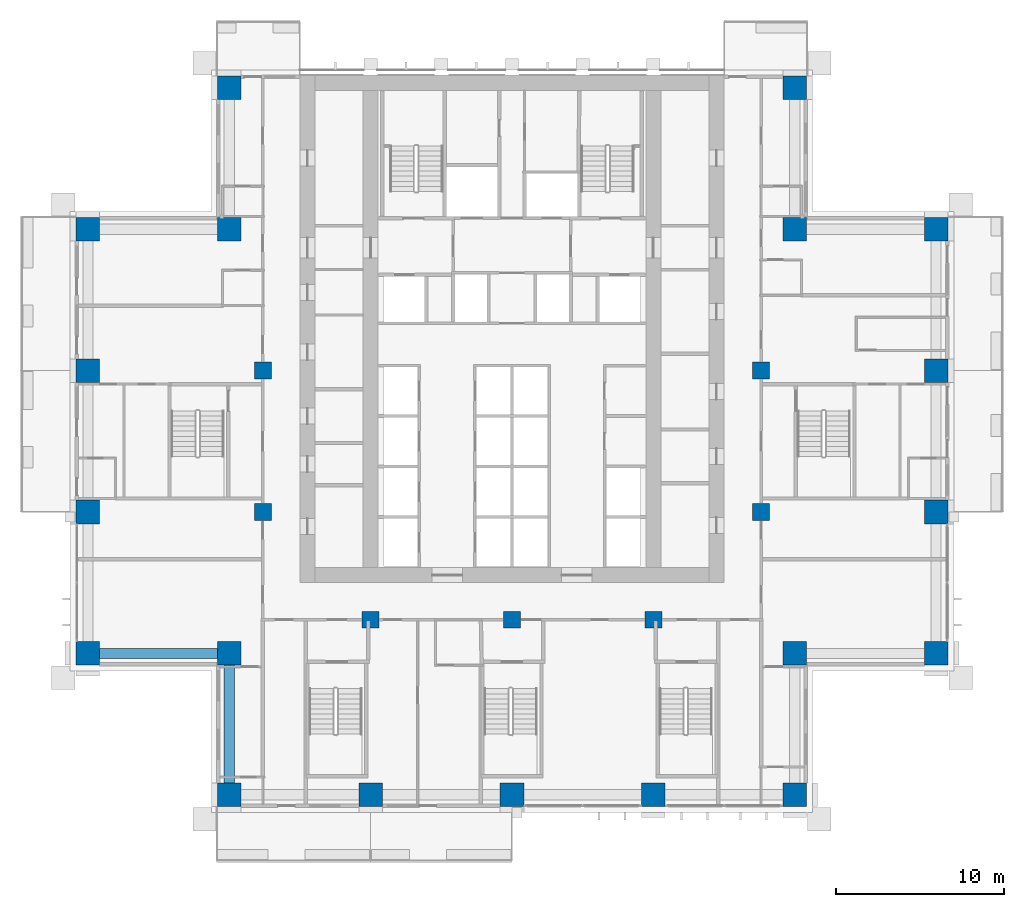
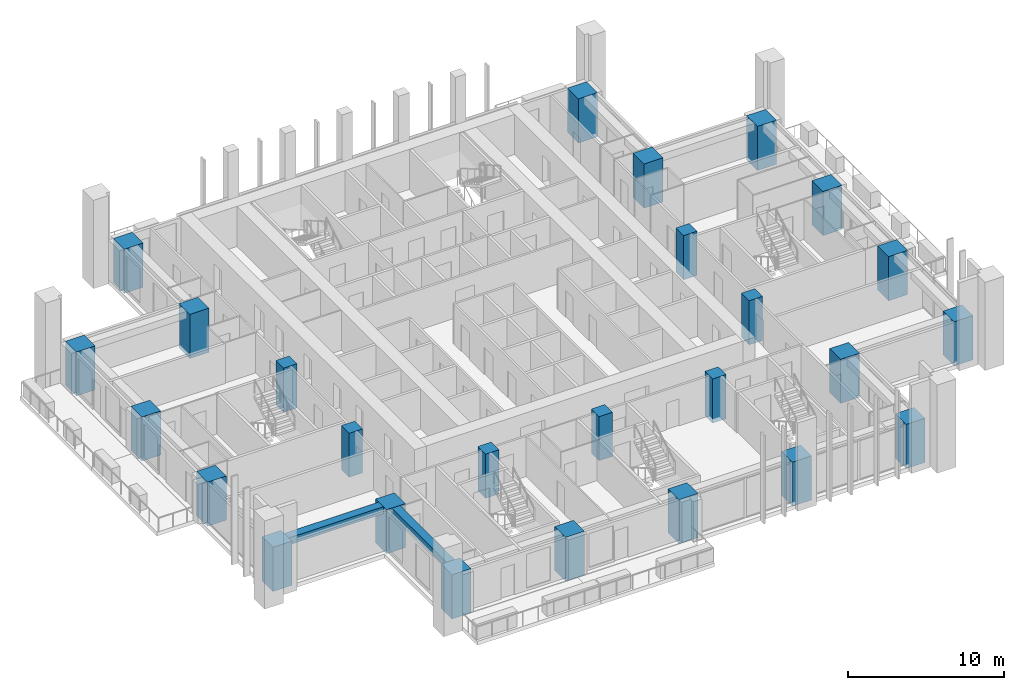
# One storey, part 1 of 18: 26 columns, 2 beams.
"""IFC4 building model written with IfcOpenShell, lengths in metres."""

from ifc_helpers import new_model, si_unit, direction, frame, origin, origin_2d, place, context, subcontext, project, spatial, rectangle, extrude, material, material_profile, profile_set, type_object, element, save


model = new_model("IFC4")

# Units and contexts
model_context = context("Model", 3, precision=1e-05, world=origin(), true_north=direction((0.0, 1.0)))
body_context = subcontext(model_context, "Body", "Model", "MODEL_VIEW")
ifc_project = project(units=[si_unit("LENGTHUNIT", "METRE"), si_unit("AREAUNIT", "SQUARE_METRE"), si_unit("VOLUMEUNIT", "CUBIC_METRE"), si_unit("PLANEANGLEUNIT", "RADIAN"), si_unit("MASSUNIT", "GRAM", prefix="KILO")], contexts=[model_context])

# Site, building, storey
site_placement = place(None, origin())
site = spatial("IfcSite", under=ifc_project, at=site_placement, CompositionType="ELEMENT")
building_placement = place(site_placement, origin())
building = spatial("IfcBuilding", under=site, at=building_placement, Name="Vermilion Ogive Tower", CompositionType="ELEMENT")
storey_placement = place(building_placement, frame((0.0, 0.0, 55.199951171875)))
storey = spatial("IfcBuildingStorey", under=building, at=storey_placement, Name="L12", CompositionType="ELEMENT", Elevation=55.199951171875)

# Columns
ifc_material_1 = material(Name="Concrete B80", Category="concrete")
ifc_material_profile_1 = material_profile(ifc_material_1, rectangle(XDim=1.39990234375, YDim=1.39990234375, at=origin_2d()), Name="1400 x 1400")
ifc_profile_set_1 = profile_set([ifc_material_profile_1], Name="Concrete B80")
column_type_1 = type_object("IfcColumnType", Name="Perimeter column 1400 x 1400 B80", PredefinedType="COLUMN", material=ifc_profile_set_1)
for number, where, z_axis, x_axis, name in (
    (1, (-16.800048828125, -21.0, -0.320068359375), (0.0, 0.0, 1.0), (1.0, 0.0, 0.0), "COL-L12-P-0168-210"),
    (2, (-8.39990234375, -21.0, -0.320068359375), (0.0, 0.0, 1.0), (1.0, 0.0, 0.0), "COL-L12-P-0084-210"),
    (3, (0.0, -21.0, -0.320068359375), (0.0, 0.0, 1.0), (1.0, 0.0, 0.0), "COL-L12-P+0000-210"),
    (4, (8.39990234375, -21.0, -0.320068359375), (0.0, 0.0, 1.0), (1.0, 0.0, 0.0), "COL-L12-P+0084-210"),
    (5, (16.800048828125, -21.0, -0.320068359375), (0.0, 0.0, 1.0), (1.0, 0.0, 0.0), "COL-L12-P+0168-210"),
    (6, (-25.199951171875, -12.60009765625, -0.320068359375), (0.0, 0.0, 1.0), (1.0, 0.0, 0.0), "COL-L12-P-0252-126"),
    (7, (-16.800048828125, -12.60009765625, -0.320068359375), (0.0, 0.0, 1.0), (1.0, 0.0, 0.0), "COL-L12-P-0168-126"),
    (8, (16.800048828125, -12.60009765625, -0.320068359375), (0.0, 0.0, 1.0), (1.0, 0.0, 0.0), "COL-L12-P+0168-126"),
    (9, (25.199951171875, -12.60009765625, -0.320068359375), (0.0, 0.0, 1.0), (1.0, 0.0, 0.0), "COL-L12-P+0252-126"),
    (10, (-25.199951171875, -4.199951171875, -0.320068359375), (0.0, 0.0, 1.0), (1.0, 0.0, 0.0), "COL-L12-P-0252-042"),
    (11, (25.199951171875, -4.199951171875, -0.320068359375), (0.0, 0.0, 1.0), (1.0, 0.0, 0.0), "COL-L12-P+0252-042"),
    (12, (-25.199951171875, 4.199951171875, -0.320068359375), (0.0, 0.0, 1.0), (1.0, 0.0, 0.0), "COL-L12-P-0252+042"),
    (13, (25.199951171875, 4.199951171875, -0.320068359375), (0.0, 0.0, 1.0), (1.0, 0.0, 0.0), "COL-L12-P+0252+042"),
    (14, (-25.199951171875, 12.60009765625, -0.320068359375), (0.0, 0.0, 1.0), (1.0, 0.0, 0.0), "COL-L12-P-0252+126"),
    (15, (-16.800048828125, 12.60009765625, -0.320068359375), (0.0, 0.0, 1.0), (1.0, 0.0, 0.0), "COL-L12-P-0168+126"),
    (16, (16.800048828125, 12.60009765625, -0.320068359375), (0.0, 0.0, 1.0), (1.0, 0.0, 0.0), "COL-L12-P+0168+126"),
    (17, (25.199951171875, 12.60009765625, -0.320068359375), (0.0, 0.0, 1.0), (1.0, 0.0, 0.0), "COL-L12-P+0252+126"),
    (18, (-16.800048828125, 21.0, -0.320068359375), (0.0, 0.0, 1.0), (1.0, 0.0, 0.0), "COL-L12-P-0168+210"),
    (19, (16.800048828125, 21.0, -0.320068359375), (0.0, 0.0, 1.0), (1.0, 0.0, 0.0), "COL-L12-P+0168+210"),
):
    element("IfcColumn", number, at=place(storey_placement, frame(where, z_axis=z_axis, x_axis=x_axis)), inside=storey, type_object=column_type_1, Name=name, PredefinedType="COLUMN", context=body_context, shape_type="SweptSolid", body=[
        extrude(rectangle(XDim=1.39990234375, YDim=1.39990234375, at=origin_2d()), origin(), (0.0, 0.0, 1.0), 3.4501953125),
    ])
ifc_material_2 = material(Name="Concrete B80", Category="concrete")
ifc_material_profile_2 = material_profile(ifc_material_2, rectangle(XDim=1.0, YDim=1.0, at=origin_2d()), Name="1000 x 1000")
ifc_profile_set_2 = profile_set([ifc_material_profile_2], Name="Concrete B80")
column_type_2 = type_object("IfcColumnType", Name="Ring column 1000 x 1000 B80", PredefinedType="COLUMN", material=ifc_profile_set_2)
for number, where, z_axis, x_axis, name in (
    (20, (-8.39990234375, -10.60009765625, -0.320068359375), (0.0, 0.0, 1.0), (1.0, 0.0, 0.0), "COL-L12-R-0084-106"),
    (21, (0.0, -10.60009765625, -0.320068359375), (0.0, 0.0, 1.0), (1.0, 0.0, 0.0), "COL-L12-R+0000-106"),
    (22, (8.39990234375, -10.60009765625, -0.320068359375), (0.0, 0.0, 1.0), (1.0, 0.0, 0.0), "COL-L12-R+0084-106"),
    (23, (-14.800048828125, -4.199951171875, -0.320068359375), (0.0, 0.0, 1.0), (1.0, 0.0, 0.0), "COL-L12-R-0148-042"),
    (24, (14.800048828125, -4.199951171875, -0.320068359375), (0.0, 0.0, 1.0), (1.0, 0.0, 0.0), "COL-L12-R+0148-042"),
    (25, (-14.800048828125, 4.199951171875, -0.320068359375), (0.0, 0.0, 1.0), (1.0, 0.0, 0.0), "COL-L12-R-0148+042"),
    (26, (14.800048828125, 4.199951171875, -0.320068359375), (0.0, 0.0, 1.0), (1.0, 0.0, 0.0), "COL-L12-R+0148+042"),
):
    element("IfcColumn", number, at=place(storey_placement, frame(where, z_axis=z_axis, x_axis=x_axis)), inside=storey, type_object=column_type_2, Name=name, PredefinedType="COLUMN", context=body_context, shape_type="SweptSolid", body=[
        extrude(rectangle(XDim=1.0, YDim=1.0, at=origin_2d()), origin(), (0.0, 0.0, 1.0), 3.4501953125),
    ])

# Beams
ifc_material_3 = material(Name="Concrete B45", Category="concrete")
ifc_material_profile_3 = material_profile(ifc_material_3, rectangle(XDim=0.60009765625, YDim=0.550048828125, at=origin_2d()), Name="600 x 550")
ifc_profile_set_3 = profile_set([ifc_material_profile_3], Name="Concrete B45")
beam_type = type_object("IfcBeamType", Name="Edge beam 600 x 550 B45", PredefinedType="BEAM", material=ifc_profile_set_3)
for number, where, z_axis, x_axis, name in (
    (27, (-24.5, -12.60009765625, 2.85498046875), (1.0, 0.0, 0.0), (0.0, 1.0, 0.0), "L12-EB-17"),
    (28, (-16.800048828125, -13.300048828125, 2.85498046875), (0.0, -1.0, 0.0), (1.0, 0.0, 0.0), "L12-EB-18"),
):
    element("IfcBeam", number, at=place(storey_placement, frame(where, z_axis=z_axis, x_axis=x_axis)), inside=storey, type_object=beam_type, Name=name, PredefinedType="BEAM", context=body_context, shape_type="SweptSolid", body=[
        extrude(rectangle(XDim=0.60009765625, YDim=0.550048828125, at=origin_2d()), origin(), (0.0, 0.0, 1.0), 7.0),
    ])

save(model, "model.ifc")
